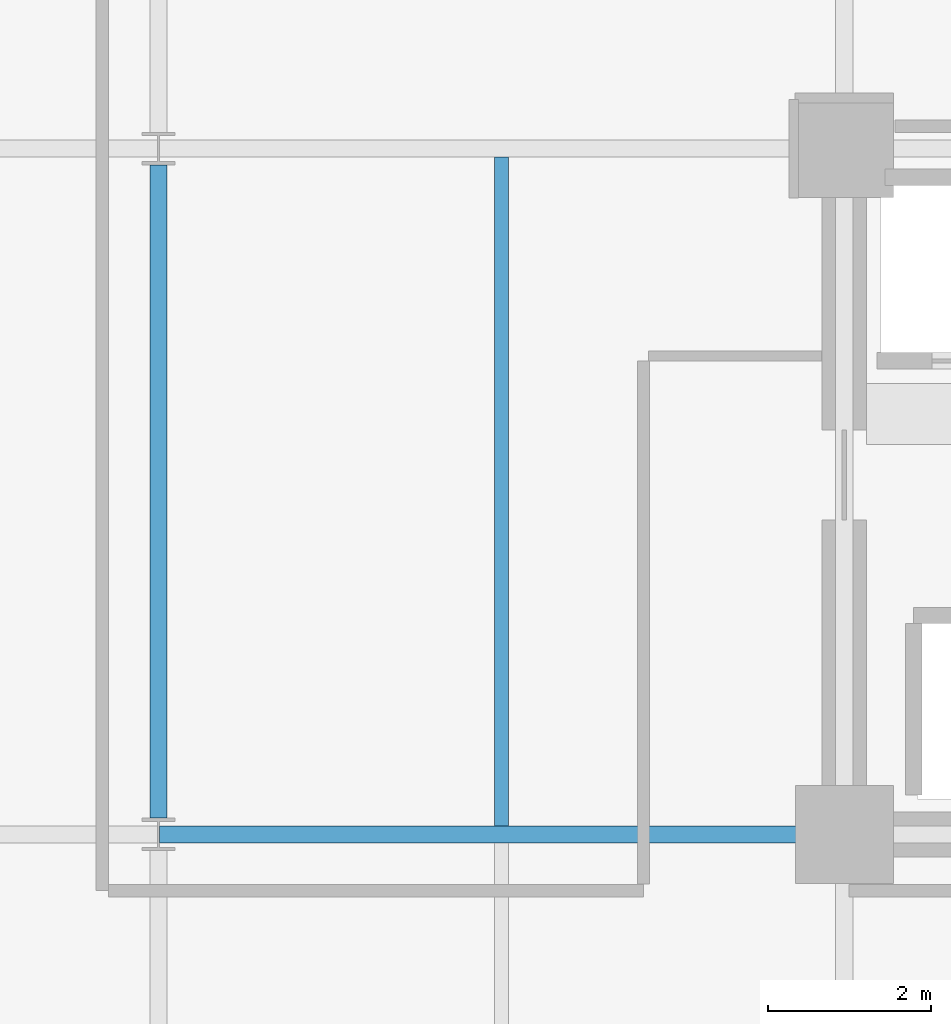
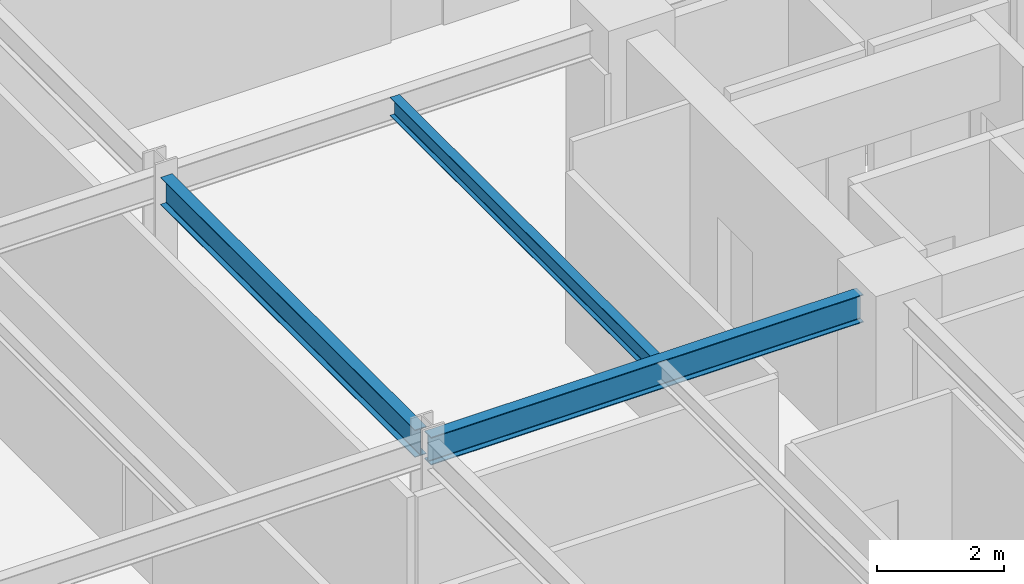
# One storey, part 5 of 29: 3 beams.
"""IFC4 building model written with IfcOpenShell, lengths in metres."""

from ifc_helpers import new_model, si_unit, direction, frame, origin, origin_2d, place, context, subcontext, project, spatial, i_section, extrude, material, material_profile, profile_set, type_object, element, save


model = new_model("IFC4")

# Units and contexts
model_context = context("Model", 3, precision=1e-05, world=origin(), true_north=direction((0.0, 1.0)))
body_context = subcontext(model_context, "Body", "Model", "MODEL_VIEW")
ifc_project = project(units=[si_unit("LENGTHUNIT", "METRE"), si_unit("AREAUNIT", "SQUARE_METRE"), si_unit("VOLUMEUNIT", "CUBIC_METRE"), si_unit("PLANEANGLEUNIT", "RADIAN"), si_unit("MASSUNIT", "GRAM", prefix="KILO")], contexts=[model_context])

# Site, building, storey
site_placement = place(None, origin())
site = spatial("IfcSite", under=ifc_project, at=site_placement, CompositionType="ELEMENT")
building_placement = place(site_placement, origin())
building = spatial("IfcBuilding", under=site, at=building_placement, Name="Nerrivon Quay Data Exchange", CompositionType="ELEMENT")
storey_placement = place(building_placement, frame((0.0, 0.0, 125.39990234375)))
storey = spatial("IfcBuildingStorey", under=building, at=storey_placement, Name="L29", CompositionType="ELEMENT", Elevation=125.39990234375)

# Beams
ifc_material = material(Name="Steel Grade 350", Category="steel")
ifc_material_profile_1 = material_profile(ifc_material, i_section(OverallWidth=0.208984375, OverallDepth=0.532958984375, WebThickness=0.01025390625, FlangeThickness=0.015625, FilletRadius=0.013916015625, at=origin_2d()), Name="530UB92.4")
ifc_profile_set_1 = profile_set([ifc_material_profile_1], Name="Steel Grade 350")
beam_type_1 = type_object("IfcBeamType", Name="BM-G3-530UB92", PredefinedType="BEAM", material=ifc_profile_set_1)
beam_1_placement = place(storey_placement, frame((8.41259765625, 8.39990234375, 3.55859375), z_axis=(1.0, 0.0, 0.0), x_axis=(0.0, 1.0, 0.0)))
element("IfcBeam", 1, at=beam_1_placement, inside=storey, type_object=beam_type_1, Name="L29 EW Girder Y=8.4 (8.4..16.8)", PredefinedType="BEAM", context=body_context, shape_type="SweptSolid", body=[
    extrude(i_section(OverallWidth=0.208984375, OverallDepth=0.532958984375, WebThickness=0.01025390625, FlangeThickness=0.015625, FilletRadius=0.013916015625, at=origin_2d()), origin(), (0.0, 0.0, 1.0), 7.847412109375),
])
ifc_material_profile_2 = material_profile(ifc_material, i_section(OverallWidth=0.208984375, OverallDepth=0.528076171875, WebThickness=0.009521484375, FlangeThickness=0.01318359375, FilletRadius=0.013916015625, at=origin_2d()), Name="530UB82.0")
ifc_profile_set_2 = profile_set([ifc_material_profile_2], Name="Steel Grade 350")
beam_type_2 = type_object("IfcBeamType", Name="BM-G4-530UB82", PredefinedType="BEAM", material=ifc_profile_set_2)
beam_2_placement = place(storey_placement, frame((8.39990234375, 8.60009765625, 3.56103515625), z_axis=(0.0, 1.0, 0.0), x_axis=(-1.0, 0.0, 0.0)))
element("IfcBeam", 2, at=beam_2_placement, inside=storey, type_object=beam_type_2, Name="L29 NS Girder X=8.4 (8.4..16.8)", PredefinedType="BEAM", context=body_context, shape_type="SweptSolid", body=[
    extrude(i_section(OverallWidth=0.208984375, OverallDepth=0.528076171875, WebThickness=0.009521484375, FlangeThickness=0.01318359375, FilletRadius=0.013916015625, at=origin_2d()), origin(), (0.0, 0.0, 1.0), 8.0),
])
ifc_material_profile_3 = material_profile(ifc_material, i_section(OverallWidth=0.1708984375, OverallDepth=0.35595703125, WebThickness=0.00732421875, FlangeThickness=0.011474609375, FilletRadius=0.011474609375, at=origin_2d()), Name="360UB50.7")
ifc_profile_set_3 = profile_set([ifc_material_profile_3], Name="Steel Grade 350")
beam_type_3 = type_object("IfcBeamType", Name="BM-J4-360UB51", PredefinedType="JOIST", material=ifc_profile_set_3)
beam_3_placement = place(storey_placement, frame((12.60009765625, 8.50439453125, 3.647216796875), z_axis=(0.0, 1.0, 0.0), x_axis=(-1.0, 0.0, 0.0)))
element("IfcBeam", 3, at=beam_3_placement, inside=storey, type_object=beam_type_3, Name="L29 Secondary Joist X=12.6 (8.4..16.8)", PredefinedType="JOIST", context=body_context, shape_type="SweptSolid", body=[
    extrude(i_section(OverallWidth=0.1708984375, OverallDepth=0.35595703125, WebThickness=0.00732421875, FlangeThickness=0.011474609375, FilletRadius=0.011474609375, at=origin_2d()), origin(), (0.0, 0.0, 1.0), 8.191162109375),
])

save(model, "model.ifc")
